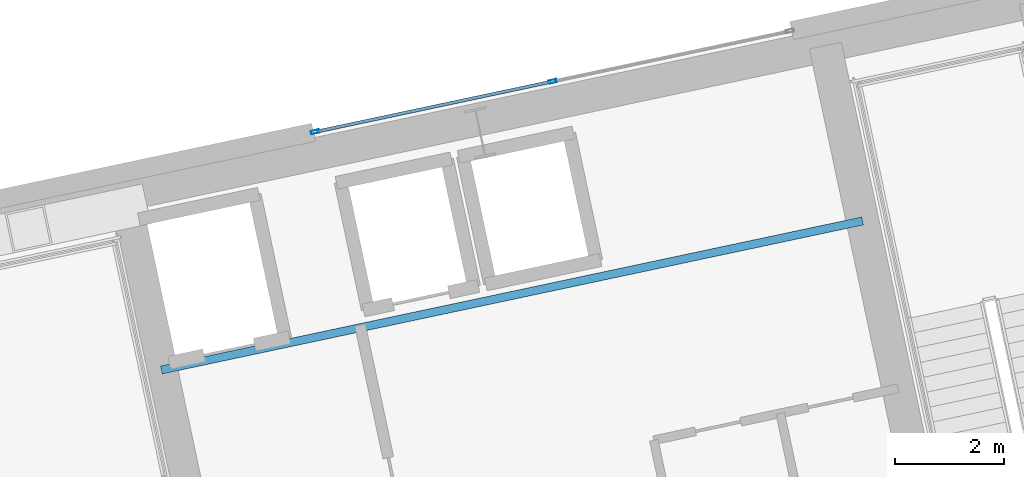
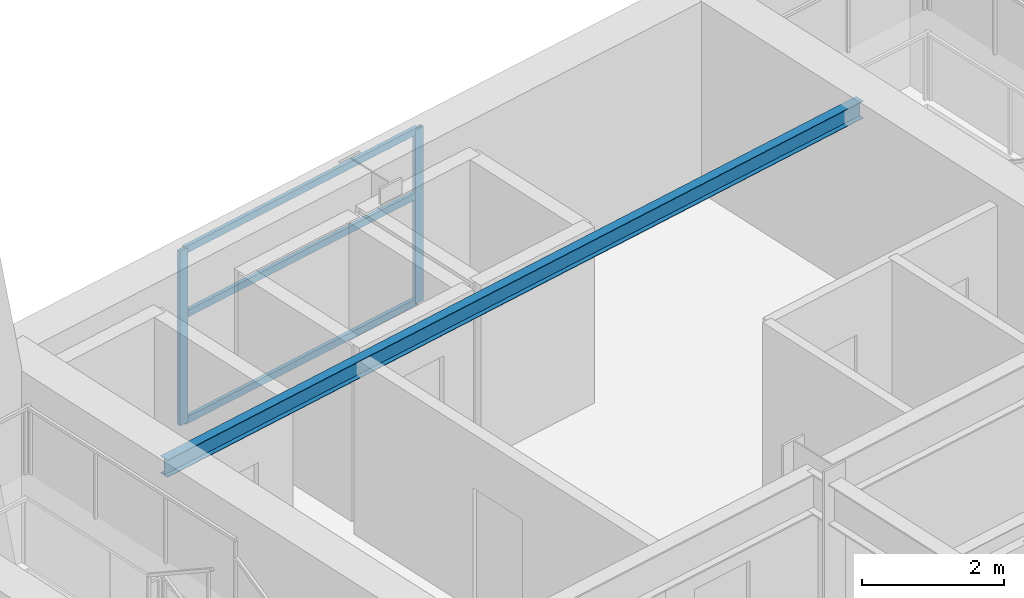
# One storey, part 6 of 25: 5 members, 1 beam, 1 element without a shape of its own.
"""IFC4 building model written with IfcOpenShell, lengths in metres."""

from ifc_helpers import new_model, si_unit, direction, frame, origin, origin_2d, place, context, subcontext, project, spatial, hollow_rectangle, i_section, extrude, material, layer, layer_set, material_profile, profile_set, type_object, element, aggregate, save


model = new_model("IFC4")

# Units and contexts
model_context = context("Model", 3, precision=1e-05, world=origin(), true_north=direction((0.0, 1.0)))
body_context = subcontext(model_context, "Body", "Model", "MODEL_VIEW")
ifc_project = project(units=[si_unit("LENGTHUNIT", "METRE"), si_unit("AREAUNIT", "SQUARE_METRE"), si_unit("VOLUMEUNIT", "CUBIC_METRE"), si_unit("PLANEANGLEUNIT", "RADIAN"), si_unit("MASSUNIT", "GRAM", prefix="KILO")], contexts=[model_context])

# Site, building, storey
site_placement = place(None, origin())
site = spatial("IfcSite", under=ifc_project, at=site_placement, CompositionType="ELEMENT")
building_placement = place(site_placement, origin())
building = spatial("IfcBuilding", under=site, at=building_placement, Name="Haevon Station Towers", CompositionType="ELEMENT")
storey_placement = place(building_placement, frame((0.0, 0.0, 50.39990234375)))
storey = spatial("IfcBuildingStorey", under=building, at=storey_placement, Name="L12", CompositionType="ELEMENT", Elevation=50.39990234375)

# Beam
ifc_material_1 = material(Name="Steel S355", Category="steel")
ifc_material_profile_1 = material_profile(ifc_material_1, i_section(OverallWidth=0.14990234375, OverallDepth=0.300048828125, WebThickness=0.006591796875, FlangeThickness=0.009033203125, at=origin_2d()), Name="H-300x150x6.5x9")
ifc_profile_set_1 = profile_set([ifc_material_profile_1], Name="Steel S355")
beam_type = type_object("IfcBeamType", Name="BM-LIN300", PredefinedType="LINTEL", material=ifc_profile_set_1)
beam_placement = place(storey_placement, frame((101.20849609375, 44.4052734375, 2.900146484375), z_axis=(0.978147802964, 0.207910739399, 0.0), x_axis=(-0.207910739399, 0.978147802964, 0.0)))
element("IfcBeam", 1, at=beam_placement, inside=storey, type_object=beam_type, Name="BM-T2LIN-L12", PredefinedType="LINTEL", context=body_context, shape_type="SweptSolid", body=[
    extrude(i_section(OverallWidth=0.14990234375, OverallDepth=0.300048828125, WebThickness=0.006591796875, FlangeThickness=0.009033203125, at=origin_2d()), origin(), (0.0, 0.0, 1.0), 13.19970703125),
])

# Curtain wall, members
ifc_material_2 = material(Name="Anodised aluminium and Low-E double glazing", Category="aluminium")
ifc_layer = layer(ifc_material_2, 0.179931640625)
ifc_layer_set = layer_set([ifc_layer], Name="Anodised aluminium and Low-E double glazing")
curtain_wall_type = type_object("IfcCurtainWallType", Name="CW-SYS5", PredefinedType="NOTDEFINED", material=ifc_layer_set)
curtain_wall_placement = place(storey_placement, origin())
curtain_wall = element("IfcCurtainWall", 2, at=curtain_wall_placement, inside=storey, type_object=curtain_wall_type, Name="L12 Curtain Wall CW-T2-L12-N", PredefinedType="NOTDEFINED")
ifc_material_3 = material(Name="Anodised aluminium 6063-T6", Category="aluminium")
ifc_material_profile_2 = material_profile(ifc_material_3, hollow_rectangle(XDim=0.06005859375, YDim=0.14990234375, WallThickness=0.00341796875, at=origin_2d()), Name="CWM-150x60x3.5")
ifc_profile_set_2 = profile_set([ifc_material_profile_2], Name="Anodised aluminium 6063-T6")
member_type_1 = type_object("IfcMemberType", Name="CWM-150", PredefinedType="MULLION", material=ifc_profile_set_2)
member_1_placement = place(storey_placement, frame((104.03857421875, 48.78955078125, 0.0), z_axis=(0.0, 0.0, 1.0), x_axis=(-0.207911783211, 0.978147581095, 0.0)))
member_1 = element("IfcMember", 3, at=member_1_placement, type_object=member_type_1, Name="CW-SYS5 mullion 1", PredefinedType="MULLION", context=body_context, shape_type="SweptSolid", body=[
    extrude(hollow_rectangle(XDim=0.06005859375, YDim=0.14990234375, WallThickness=0.00341796875, at=origin_2d()), origin(), (0.0, 0.0, 1.0), 3.0),
])
member_2_placement = place(storey_placement, frame((108.410888671875, 49.71875, 0.0), z_axis=(0.0, 0.0, 1.0), x_axis=(-0.207911783211, 0.978147581095, 0.0)))
member_2 = element("IfcMember", 4, at=member_2_placement, type_object=member_type_1, Name="CW-SYS5 mullion 2", PredefinedType="MULLION", context=body_context, shape_type="SweptSolid", body=[
    extrude(hollow_rectangle(XDim=0.06005859375, YDim=0.14990234375, WallThickness=0.00341796875, at=origin_2d()), origin(), (0.0, 0.0, 1.0), 3.0),
])
ifc_material_profile_3 = material_profile(ifc_material_3, hollow_rectangle(XDim=0.06005859375, YDim=0.1201171875, WallThickness=0.0029296875, at=origin_2d()), Name="CWT-120x60x3")
ifc_profile_set_3 = profile_set([ifc_material_profile_3], Name="Anodised aluminium 6063-T6")
member_type_2 = type_object("IfcMemberType", Name="CWT-120", PredefinedType="USERDEFINED", material=ifc_profile_set_3)
member_3_placement = place(storey_placement, frame((104.068115234375, 48.795654296875, 0.030029296875), z_axis=(0.978141400356, 0.207940859165, 0.0), x_axis=(-0.207940859165, 0.978141400356, 0.0)))
member_3 = element("IfcMember", 5, at=member_3_placement, type_object=member_type_2, Name="CW-SYS5 transom 1.1", ObjectType="TRANSOM", PredefinedType="USERDEFINED", context=body_context, shape_type="SweptSolid", body=[
    extrude(hollow_rectangle(XDim=0.06005859375, YDim=0.1201171875, WallThickness=0.0029296875, at=origin_2d()), origin(), (0.0, 0.0, 1.0), 4.409912109375),
])
member_4_placement = place(storey_placement, frame((104.068115234375, 48.795654296875, 1.860107421875), z_axis=(0.978141400356, 0.207940859165, 0.0), x_axis=(-0.207940859165, 0.978141400356, 0.0)))
member_4 = element("IfcMember", 6, at=member_4_placement, type_object=member_type_2, Name="CW-SYS5 transom 1.2", ObjectType="TRANSOM", PredefinedType="USERDEFINED", context=body_context, shape_type="SweptSolid", body=[
    extrude(hollow_rectangle(XDim=0.06005859375, YDim=0.1201171875, WallThickness=0.0029296875, at=origin_2d()), origin(), (0.0, 0.0, 1.0), 4.409912109375),
])
member_5_placement = place(storey_placement, frame((104.068115234375, 48.795654296875, 2.97021484375), z_axis=(0.978141400356, 0.207940859165, 0.0), x_axis=(-0.207940859165, 0.978141400356, 0.0)))
member_5 = element("IfcMember", 7, at=member_5_placement, type_object=member_type_2, Name="CW-SYS5 transom 1.3", ObjectType="TRANSOM", PredefinedType="USERDEFINED", context=body_context, shape_type="SweptSolid", body=[
    extrude(hollow_rectangle(XDim=0.06005859375, YDim=0.1201171875, WallThickness=0.0029296875, at=origin_2d()), origin(), (0.0, 0.0, 1.0), 4.409912109375),
])
aggregate(curtain_wall, [member_1, member_2, member_3, member_4, member_5])

save(model, "model.ifc")
